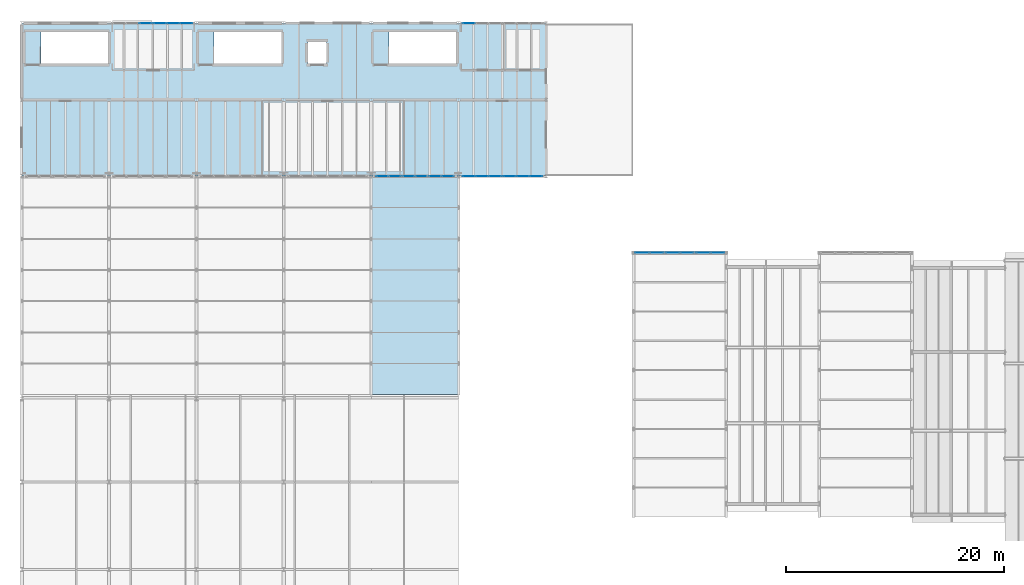
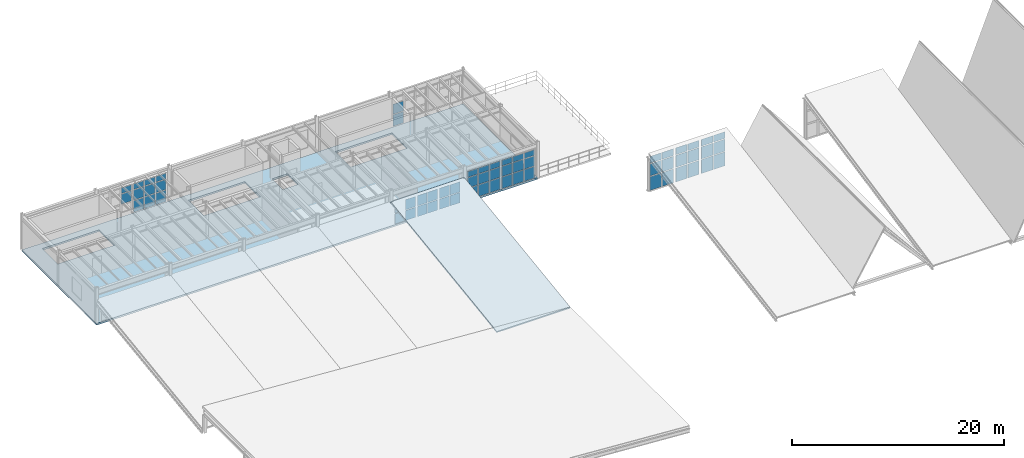
# One storey, part 48 of 77: 61 plates, 2 slabs, 12 elements without a shape of their own.
"""IFC4 building model written with IfcOpenShell, lengths in metres."""

from ifc_helpers import new_model, si_unit, direction, frame, origin, origin_2d, place, context, subcontext, project, spatial, polyline, rectangle, outline, extrude, material, layer, layer_set, type_object, element, aggregate, save


model = new_model("IFC4")

# Units and contexts
model_context = context("Model", 3, precision=1e-05, world=origin(), true_north=direction((0.0, 1.0)))
body_context = subcontext(model_context, "Body", "Model", "MODEL_VIEW")
ifc_project = project(units=[si_unit("LENGTHUNIT", "METRE"), si_unit("AREAUNIT", "SQUARE_METRE"), si_unit("VOLUMEUNIT", "CUBIC_METRE"), si_unit("PLANEANGLEUNIT", "RADIAN"), si_unit("MASSUNIT", "GRAM", prefix="KILO"), si_unit("THERMODYNAMICTEMPERATUREUNIT", "KELVIN"), si_unit("POWERUNIT", "WATT")], contexts=[model_context])

# Site, building, storey
site_placement = place(None, origin())
site = spatial("IfcSite", under=ifc_project, at=site_placement, CompositionType="ELEMENT")
building_placement = place(site_placement, origin())
building = spatial("IfcBuilding", under=site, at=building_placement, Name="Zhenchuan Central Fire Station", CompositionType="ELEMENT")
storey_placement = place(building_placement, frame((0.0, 0.0, 10.050048828125)))
storey = spatial("IfcBuildingStorey", under=building, at=storey_placement, Name="L03", CompositionType="ELEMENT", Elevation=10.050048828125)

# Curtain wall, plates
ifc_material_1 = material(Name="Anodised aluminium and low-E glazing", Category="aluminium")
curtain_wall_type_1 = type_object("IfcCurtainWallType", Name="CW-MOD-18", PredefinedType="USERDEFINED", material=ifc_material_1)
curtain_wall_1_placement = place(storey_placement, origin())
curtain_wall_1 = element("IfcCurtainWall", 1, at=curtain_wall_1_placement, inside=storey, type_object=curtain_wall_type_1, Name="L03 Unitised Curtain Wall 001", ObjectType="UNITISED GLAZING", PredefinedType="USERDEFINED")
ifc_material_2 = material(Name="Laminated low-E double glazing", Category="glass")
ifc_layer_1 = layer(ifc_material_2, 0.011962890625, Name="Laminated low-E double glazing", Category="glass")
ifc_layer_set_1 = layer_set([ifc_layer_1], Name="Laminated low-E double glazing")
plate_type = type_object("IfcPlateType", Name="CW-PNL12", PredefinedType="CURTAIN_PANEL", material=ifc_layer_set_1)
plate_1_placement = place(storey_placement, frame((56.791015625, 35.5, -0.12890625), z_axis=(0.0, 0.0, 1.0), x_axis=(1.0, 0.0, 0.0)))
plate_1 = element("IfcPlate", 2, at=plate_1_placement, type_object=plate_type, Name="CW-18 panel 1.1", PredefinedType="CURTAIN_PANEL", context=body_context, shape_type="SweptSolid", body=[
    extrude(rectangle(XDim=1.255859375, YDim=0.011962890625, at=origin_2d()), origin(), (0.0, 0.0, 1.0), 1.600830078125),
])
plate_2_placement = place(storey_placement, frame((56.791015625, 35.5, 1.546875), z_axis=(0.0, 0.0, 1.0), x_axis=(1.0, 0.0, 0.0)))
plate_2 = element("IfcPlate", 3, at=plate_2_placement, type_object=plate_type, Name="CW-18 panel 1.2", PredefinedType="CURTAIN_PANEL", context=body_context, shape_type="SweptSolid", body=[
    extrude(rectangle(XDim=1.255859375, YDim=0.011962890625, at=origin_2d()), origin(), (0.0, 0.0, 1.0), 1.39013671875),
])
plate_3_placement = place(storey_placement, frame((56.791015625, 35.5, 3.01220703125), z_axis=(0.0, 0.0, 1.0), x_axis=(1.0, 0.0, 0.0)))
plate_3 = element("IfcPlate", 4, at=plate_3_placement, type_object=plate_type, Name="CW-18 panel 1.3", PredefinedType="CURTAIN_PANEL", context=body_context, shape_type="SweptSolid", body=[
    extrude(rectangle(XDim=1.255859375, YDim=0.011962890625, at=origin_2d()), origin(), (0.0, 0.0, 1.0), 0.782958984375),
])
plate_4_placement = place(storey_placement, frame((58.121826171875, 35.5, -0.12890625), z_axis=(0.0, 0.0, 1.0), x_axis=(1.0, 0.0, 0.0)))
plate_4 = element("IfcPlate", 5, at=plate_4_placement, type_object=plate_type, Name="CW-18 panel 2.1", PredefinedType="CURTAIN_PANEL", context=body_context, shape_type="SweptSolid", body=[
    extrude(rectangle(XDim=1.255859375, YDim=0.011962890625, at=origin_2d()), origin(), (0.0, 0.0, 1.0), 1.600830078125),
])
plate_5_placement = place(storey_placement, frame((58.121826171875, 35.5, 1.546875), z_axis=(0.0, 0.0, 1.0), x_axis=(1.0, 0.0, 0.0)))
plate_5 = element("IfcPlate", 6, at=plate_5_placement, type_object=plate_type, Name="CW-18 panel 2.2", PredefinedType="CURTAIN_PANEL", context=body_context, shape_type="SweptSolid", body=[
    extrude(rectangle(XDim=1.255859375, YDim=0.011962890625, at=origin_2d()), origin(), (0.0, 0.0, 1.0), 1.39013671875),
])
plate_6_placement = place(storey_placement, frame((58.121826171875, 35.5, 3.01220703125), z_axis=(0.0, 0.0, 1.0), x_axis=(1.0, 0.0, 0.0)))
plate_6 = element("IfcPlate", 7, at=plate_6_placement, type_object=plate_type, Name="CW-18 panel 2.3", PredefinedType="CURTAIN_PANEL", context=body_context, shape_type="SweptSolid", body=[
    extrude(rectangle(XDim=1.255859375, YDim=0.011962890625, at=origin_2d()), origin(), (0.0, 0.0, 1.0), 0.782958984375),
])
aggregate(curtain_wall_1, [plate_1, plate_2, plate_3, plate_4, plate_5, plate_6])

curtain_wall_type_2 = type_object("IfcCurtainWallType", Name="CW-MOD-19", PredefinedType="USERDEFINED", material=ifc_material_1)
curtain_wall_2_placement = place(storey_placement, origin())
curtain_wall_2 = element("IfcCurtainWall", 8, at=curtain_wall_2_placement, inside=storey, type_object=curtain_wall_type_2, Name="L03 Unitised Curtain Wall 002", ObjectType="UNITISED GLAZING", PredefinedType="USERDEFINED")
plate_7_placement = place(storey_placement, frame((59.593994140625, 35.5, -0.12890625), z_axis=(0.0, 0.0, 1.0), x_axis=(1.0, 0.0, 0.0)))
plate_7 = element("IfcPlate", 9, at=plate_7_placement, type_object=plate_type, Name="CW-19 panel 1.1", PredefinedType="CURTAIN_PANEL", context=body_context, shape_type="SweptSolid", body=[
    extrude(rectangle(XDim=1.23681640625, YDim=0.011962890625, at=origin_2d()), origin(), (0.0, 0.0, 1.0), 1.600830078125),
])
plate_8_placement = place(storey_placement, frame((59.593994140625, 35.5, 1.546875), z_axis=(0.0, 0.0, 1.0), x_axis=(1.0, 0.0, 0.0)))
plate_8 = element("IfcPlate", 10, at=plate_8_placement, type_object=plate_type, Name="CW-19 panel 1.2", PredefinedType="CURTAIN_PANEL", context=body_context, shape_type="SweptSolid", body=[
    extrude(rectangle(XDim=1.23681640625, YDim=0.011962890625, at=origin_2d()), origin(), (0.0, 0.0, 1.0), 1.39013671875),
])
plate_9_placement = place(storey_placement, frame((59.593994140625, 35.5, 3.01220703125), z_axis=(0.0, 0.0, 1.0), x_axis=(1.0, 0.0, 0.0)))
plate_9 = element("IfcPlate", 11, at=plate_9_placement, type_object=plate_type, Name="CW-19 panel 1.3", PredefinedType="CURTAIN_PANEL", context=body_context, shape_type="SweptSolid", body=[
    extrude(rectangle(XDim=1.23681640625, YDim=0.011962890625, at=origin_2d()), origin(), (0.0, 0.0, 1.0), 0.782958984375),
])
plate_10_placement = place(storey_placement, frame((60.906005859375, 35.5, -0.12890625), z_axis=(0.0, 0.0, 1.0), x_axis=(1.0, 0.0, 0.0)))
plate_10 = element("IfcPlate", 12, at=plate_10_placement, type_object=plate_type, Name="CW-19 panel 2.1", PredefinedType="CURTAIN_PANEL", context=body_context, shape_type="SweptSolid", body=[
    extrude(rectangle(XDim=1.23681640625, YDim=0.011962890625, at=origin_2d()), origin(), (0.0, 0.0, 1.0), 1.600830078125),
])
plate_11_placement = place(storey_placement, frame((60.906005859375, 35.5, 1.546875), z_axis=(0.0, 0.0, 1.0), x_axis=(1.0, 0.0, 0.0)))
plate_11 = element("IfcPlate", 13, at=plate_11_placement, type_object=plate_type, Name="CW-19 panel 2.2", PredefinedType="CURTAIN_PANEL", context=body_context, shape_type="SweptSolid", body=[
    extrude(rectangle(XDim=1.23681640625, YDim=0.011962890625, at=origin_2d()), origin(), (0.0, 0.0, 1.0), 1.39013671875),
])
plate_12_placement = place(storey_placement, frame((60.906005859375, 35.5, 3.01220703125), z_axis=(0.0, 0.0, 1.0), x_axis=(1.0, 0.0, 0.0)))
plate_12 = element("IfcPlate", 14, at=plate_12_placement, type_object=plate_type, Name="CW-19 panel 2.3", PredefinedType="CURTAIN_PANEL", context=body_context, shape_type="SweptSolid", body=[
    extrude(rectangle(XDim=1.23681640625, YDim=0.011962890625, at=origin_2d()), origin(), (0.0, 0.0, 1.0), 0.782958984375),
])
aggregate(curtain_wall_2, [plate_7, plate_8, plate_9, plate_10, plate_11, plate_12])

curtain_wall_type_3 = type_object("IfcCurtainWallType", Name="CW-MOD-20", PredefinedType="USERDEFINED", material=ifc_material_1)
curtain_wall_3_placement = place(storey_placement, origin())
curtain_wall_3 = element("IfcCurtainWall", 15, at=curtain_wall_3_placement, inside=storey, type_object=curtain_wall_type_3, Name="L03 Unitised Curtain Wall 003", ObjectType="UNITISED GLAZING", PredefinedType="USERDEFINED")
plate_13_placement = place(storey_placement, frame((62.378173828125, 35.5, -0.12890625), z_axis=(0.0, 0.0, 1.0), x_axis=(1.0, 0.0, 0.0)))
plate_13 = element("IfcPlate", 16, at=plate_13_placement, type_object=plate_type, Name="CW-20 panel 1.1", PredefinedType="CURTAIN_PANEL", context=body_context, shape_type="SweptSolid", body=[
    extrude(rectangle(XDim=1.255859375, YDim=0.011962890625, at=origin_2d()), origin(), (0.0, 0.0, 1.0), 1.600830078125),
])
plate_14_placement = place(storey_placement, frame((62.378173828125, 35.5, 1.546875), z_axis=(0.0, 0.0, 1.0), x_axis=(1.0, 0.0, 0.0)))
plate_14 = element("IfcPlate", 17, at=plate_14_placement, type_object=plate_type, Name="CW-20 panel 1.2", PredefinedType="CURTAIN_PANEL", context=body_context, shape_type="SweptSolid", body=[
    extrude(rectangle(XDim=1.255859375, YDim=0.011962890625, at=origin_2d()), origin(), (0.0, 0.0, 1.0), 1.39013671875),
])
plate_15_placement = place(storey_placement, frame((62.378173828125, 35.5, 3.01220703125), z_axis=(0.0, 0.0, 1.0), x_axis=(1.0, 0.0, 0.0)))
plate_15 = element("IfcPlate", 18, at=plate_15_placement, type_object=plate_type, Name="CW-20 panel 1.3", PredefinedType="CURTAIN_PANEL", context=body_context, shape_type="SweptSolid", body=[
    extrude(rectangle(XDim=1.255859375, YDim=0.011962890625, at=origin_2d()), origin(), (0.0, 0.0, 1.0), 0.782958984375),
])
plate_16_placement = place(storey_placement, frame((63.708984375, 35.5, -0.12890625), z_axis=(0.0, 0.0, 1.0), x_axis=(1.0, 0.0, 0.0)))
plate_16 = element("IfcPlate", 19, at=plate_16_placement, type_object=plate_type, Name="CW-20 panel 2.1", PredefinedType="CURTAIN_PANEL", context=body_context, shape_type="SweptSolid", body=[
    extrude(rectangle(XDim=1.255859375, YDim=0.011962890625, at=origin_2d()), origin(), (0.0, 0.0, 1.0), 1.600830078125),
])
plate_17_placement = place(storey_placement, frame((63.708984375, 35.5, 1.546875), z_axis=(0.0, 0.0, 1.0), x_axis=(1.0, 0.0, 0.0)))
plate_17 = element("IfcPlate", 20, at=plate_17_placement, type_object=plate_type, Name="CW-20 panel 2.2", PredefinedType="CURTAIN_PANEL", context=body_context, shape_type="SweptSolid", body=[
    extrude(rectangle(XDim=1.255859375, YDim=0.011962890625, at=origin_2d()), origin(), (0.0, 0.0, 1.0), 1.39013671875),
])
plate_18_placement = place(storey_placement, frame((63.708984375, 35.5, 3.01220703125), z_axis=(0.0, 0.0, 1.0), x_axis=(1.0, 0.0, 0.0)))
plate_18 = element("IfcPlate", 21, at=plate_18_placement, type_object=plate_type, Name="CW-20 panel 2.3", PredefinedType="CURTAIN_PANEL", context=body_context, shape_type="SweptSolid", body=[
    extrude(rectangle(XDim=1.255859375, YDim=0.011962890625, at=origin_2d()), origin(), (0.0, 0.0, 1.0), 0.782958984375),
])
aggregate(curtain_wall_3, [plate_13, plate_14, plate_15, plate_16, plate_17, plate_18])

curtain_wall_type_4 = type_object("IfcCurtainWallType", Name="CW-MOD-22", PredefinedType="USERDEFINED", material=ifc_material_1)
curtain_wall_4_placement = place(storey_placement, origin())
curtain_wall_4 = element("IfcCurtainWall", 22, at=curtain_wall_4_placement, inside=storey, type_object=curtain_wall_type_4, Name="L03 Unitised Curtain Wall 049", ObjectType="UNITISED GLAZING", PredefinedType="USERDEFINED")
plate_19_placement = place(storey_placement, frame((33.00927734375, 42.5, 0.071044921875), z_axis=(0.0, 0.0, 1.0), x_axis=(1.0, 0.0, 0.0)))
plate_19 = element("IfcPlate", 23, at=plate_19_placement, type_object=plate_type, Name="CW-22 panel 1.1", PredefinedType="CURTAIN_PANEL", context=body_context, shape_type="SweptSolid", body=[
    extrude(rectangle(XDim=1.068603515625, YDim=0.011962890625, at=origin_2d()), origin(), (0.0, 0.0, 1.0), 1.16650390625),
])
plate_20_placement = place(storey_placement, frame((33.00927734375, 42.5, 1.3125), z_axis=(0.0, 0.0, 1.0), x_axis=(1.0, 0.0, 0.0)))
plate_20 = element("IfcPlate", 24, at=plate_20_placement, type_object=plate_type, Name="CW-22 panel 1.2", PredefinedType="CURTAIN_PANEL", context=body_context, shape_type="SweptSolid", body=[
    extrude(rectangle(XDim=1.068603515625, YDim=0.011962890625, at=origin_2d()), origin(), (0.0, 0.0, 1.0), 1.16259765625),
])
plate_21_placement = place(storey_placement, frame((34.15283203125, 42.5, 0.071044921875), z_axis=(0.0, 0.0, 1.0), x_axis=(1.0, 0.0, 0.0)))
plate_21 = element("IfcPlate", 25, at=plate_21_placement, type_object=plate_type, Name="CW-22 panel 2.1", PredefinedType="CURTAIN_PANEL", context=body_context, shape_type="SweptSolid", body=[
    extrude(rectangle(XDim=1.068603515625, YDim=0.011962890625, at=origin_2d()), origin(), (0.0, 0.0, 1.0), 1.16650390625),
])
plate_22_placement = place(storey_placement, frame((34.15283203125, 42.5, 1.3125), z_axis=(0.0, 0.0, 1.0), x_axis=(1.0, 0.0, 0.0)))
plate_22 = element("IfcPlate", 26, at=plate_22_placement, type_object=plate_type, Name="CW-22 panel 2.2", PredefinedType="CURTAIN_PANEL", context=body_context, shape_type="SweptSolid", body=[
    extrude(rectangle(XDim=1.068603515625, YDim=0.011962890625, at=origin_2d()), origin(), (0.0, 0.0, 1.0), 1.16259765625),
])
aggregate(curtain_wall_4, [plate_19, plate_20, plate_21, plate_22])

curtain_wall_type_5 = type_object("IfcCurtainWallType", Name="CW-MOD-01", PredefinedType="USERDEFINED", material=ifc_material_1)
curtain_wall_5_placement = place(storey_placement, origin())
curtain_wall_5 = element("IfcCurtainWall", 27, at=curtain_wall_5_placement, inside=storey, type_object=curtain_wall_type_5, Name="L03 Unitised Curtain Wall 050", ObjectType="UNITISED GLAZING", PredefinedType="USERDEFINED")
plate_23_placement = place(storey_placement, frame((35.435302734375, 42.5, 0.06103515625), z_axis=(0.0, 0.0, 1.0), x_axis=(1.0, 0.0, 0.0)))
plate_23 = element("IfcPlate", 28, at=plate_23_placement, type_object=plate_type, Name="CW-01 panel 1.1", PredefinedType="CURTAIN_PANEL", context=body_context, shape_type="SweptSolid", body=[
    extrude(rectangle(XDim=1.064453125, YDim=0.011962890625, at=origin_2d()), origin(), (0.0, 0.0, 1.0), 1.181396484375),
])
plate_24_placement = place(storey_placement, frame((35.435302734375, 42.5, 1.3076171875), z_axis=(0.0, 0.0, 1.0), x_axis=(1.0, 0.0, 0.0)))
plate_24 = element("IfcPlate", 29, at=plate_24_placement, type_object=plate_type, Name="CW-01 panel 1.2", PredefinedType="CURTAIN_PANEL", context=body_context, shape_type="SweptSolid", body=[
    extrude(rectangle(XDim=1.064453125, YDim=0.011962890625, at=origin_2d()), origin(), (0.0, 0.0, 1.0), 1.177490234375),
])
plate_25_placement = place(storey_placement, frame((36.564697265625, 42.5, 0.06103515625), z_axis=(0.0, 0.0, 1.0), x_axis=(1.0, 0.0, 0.0)))
plate_25 = element("IfcPlate", 30, at=plate_25_placement, type_object=plate_type, Name="CW-01 panel 2.1", PredefinedType="CURTAIN_PANEL", context=body_context, shape_type="SweptSolid", body=[
    extrude(rectangle(XDim=1.064453125, YDim=0.011962890625, at=origin_2d()), origin(), (0.0, 0.0, 1.0), 1.181396484375),
])
plate_26_placement = place(storey_placement, frame((36.564697265625, 42.5, 1.3076171875), z_axis=(0.0, 0.0, 1.0), x_axis=(1.0, 0.0, 0.0)))
plate_26 = element("IfcPlate", 31, at=plate_26_placement, type_object=plate_type, Name="CW-01 panel 2.2", PredefinedType="CURTAIN_PANEL", context=body_context, shape_type="SweptSolid", body=[
    extrude(rectangle(XDim=1.064453125, YDim=0.011962890625, at=origin_2d()), origin(), (0.0, 0.0, 1.0), 1.177490234375),
])
aggregate(curtain_wall_5, [plate_23, plate_24, plate_25, plate_26])

curtain_wall_type_6 = type_object("IfcCurtainWallType", Name="CW-MOD-02", PredefinedType="USERDEFINED", material=ifc_material_1)
curtain_wall_6_placement = place(storey_placement, origin())
curtain_wall_6 = element("IfcCurtainWall", 32, at=curtain_wall_6_placement, inside=storey, type_object=curtain_wall_type_6, Name="L03 Unitised Curtain Wall 051", ObjectType="UNITISED GLAZING", PredefinedType="USERDEFINED")
plate_27_placement = place(storey_placement, frame((37.8447265625, 42.5, 0.06103515625), z_axis=(0.0, 0.0, 1.0), x_axis=(1.0, 0.0, 0.0)))
plate_27 = element("IfcPlate", 33, at=plate_27_placement, type_object=plate_type, Name="CW-02 panel 1.1", PredefinedType="CURTAIN_PANEL", context=body_context, shape_type="SweptSolid", body=[
    extrude(rectangle(XDim=1.08349609375, YDim=0.011962890625, at=origin_2d()), origin(), (0.0, 0.0, 1.0), 1.181396484375),
])
plate_28_placement = place(storey_placement, frame((37.8447265625, 42.5, 1.3076171875), z_axis=(0.0, 0.0, 1.0), x_axis=(1.0, 0.0, 0.0)))
plate_28 = element("IfcPlate", 34, at=plate_28_placement, type_object=plate_type, Name="CW-02 panel 1.2", PredefinedType="CURTAIN_PANEL", context=body_context, shape_type="SweptSolid", body=[
    extrude(rectangle(XDim=1.08349609375, YDim=0.011962890625, at=origin_2d()), origin(), (0.0, 0.0, 1.0), 1.177490234375),
])
plate_29_placement = place(storey_placement, frame((38.9931640625, 42.5, 0.06103515625), z_axis=(0.0, 0.0, 1.0), x_axis=(1.0, 0.0, 0.0)))
plate_29 = element("IfcPlate", 35, at=plate_29_placement, type_object=plate_type, Name="CW-02 panel 2.1", PredefinedType="CURTAIN_PANEL", context=body_context, shape_type="SweptSolid", body=[
    extrude(rectangle(XDim=1.08349609375, YDim=0.011962890625, at=origin_2d()), origin(), (0.0, 0.0, 1.0), 1.181396484375),
])
plate_30_placement = place(storey_placement, frame((38.9931640625, 42.5, 1.3076171875), z_axis=(0.0, 0.0, 1.0), x_axis=(1.0, 0.0, 0.0)))
plate_30 = element("IfcPlate", 36, at=plate_30_placement, type_object=plate_type, Name="CW-02 panel 2.2", PredefinedType="CURTAIN_PANEL", context=body_context, shape_type="SweptSolid", body=[
    extrude(rectangle(XDim=1.08349609375, YDim=0.011962890625, at=origin_2d()), origin(), (0.0, 0.0, 1.0), 1.177490234375),
])
aggregate(curtain_wall_6, [plate_27, plate_28, plate_29, plate_30])

curtain_wall_type_7 = type_object("IfcCurtainWallType", Name="CW-MOD-08", PredefinedType="USERDEFINED", material=ifc_material_1)
curtain_wall_7_placement = place(storey_placement, origin())
curtain_wall_7 = element("IfcCurtainWall", 37, at=curtain_wall_7_placement, inside=storey, type_object=curtain_wall_type_7, Name="L03 Unitised Curtain Wall 066", ObjectType="UNITISED GLAZING", PredefinedType="USERDEFINED")
plate_31_placement = place(storey_placement, frame((11.33544921875, 56.5, 1.46044921875), z_axis=(0.0, 0.0, 1.0), x_axis=(1.0, 0.0, 0.0)))
plate_31 = element("IfcPlate", 38, at=plate_31_placement, type_object=plate_type, Name="CW-08 panel 3.2", PredefinedType="CURTAIN_PANEL", context=body_context, shape_type="SweptSolid", body=[
    extrude(rectangle(XDim=1.123046875, YDim=0.011962890625, at=origin_2d()), origin(), (0.0, 0.0, 1.0), 1.158935546875),
])
plate_32_placement = place(storey_placement, frame((11.33544921875, 56.5, 2.6845703125), z_axis=(0.0, 0.0, 1.0), x_axis=(1.0, 0.0, 0.0)))
plate_32 = element("IfcPlate", 39, at=plate_32_placement, type_object=plate_type, Name="CW-08 panel 3.3", PredefinedType="CURTAIN_PANEL", context=body_context, shape_type="SweptSolid", body=[
    extrude(rectangle(XDim=1.123046875, YDim=0.011962890625, at=origin_2d()), origin(), (0.0, 0.0, 1.0), 0.650390625),
])
aggregate(curtain_wall_7, [plate_31, plate_32])

curtain_wall_type_8 = type_object("IfcCurtainWallType", Name="CW-MOD-09", PredefinedType="USERDEFINED", material=ifc_material_1)
curtain_wall_8_placement = place(storey_placement, origin())
curtain_wall_8 = element("IfcCurtainWall", 40, at=curtain_wall_8_placement, inside=storey, type_object=curtain_wall_type_8, Name="L03 Unitised Curtain Wall 067", ObjectType="UNITISED GLAZING", PredefinedType="USERDEFINED")
plate_33_placement = place(storey_placement, frame((12.66455078125, 56.5, 0.06103515625), z_axis=(0.0, 0.0, 1.0), x_axis=(1.0, 0.0, 0.0)))
plate_33 = element("IfcPlate", 41, at=plate_33_placement, type_object=plate_type, Name="CW-09 panel 1.1", PredefinedType="CURTAIN_PANEL", context=body_context, shape_type="SweptSolid", body=[
    extrude(rectangle(XDim=1.123046875, YDim=0.011962890625, at=origin_2d()), origin(), (0.0, 0.0, 1.0), 1.33447265625),
])
plate_34_placement = place(storey_placement, frame((12.66455078125, 56.5, 1.46044921875), z_axis=(0.0, 0.0, 1.0), x_axis=(1.0, 0.0, 0.0)))
plate_34 = element("IfcPlate", 42, at=plate_34_placement, type_object=plate_type, Name="CW-09 panel 1.2", PredefinedType="CURTAIN_PANEL", context=body_context, shape_type="SweptSolid", body=[
    extrude(rectangle(XDim=1.123046875, YDim=0.011962890625, at=origin_2d()), origin(), (0.0, 0.0, 1.0), 1.158935546875),
])
plate_35_placement = place(storey_placement, frame((12.66455078125, 56.5, 2.6845703125), z_axis=(0.0, 0.0, 1.0), x_axis=(1.0, 0.0, 0.0)))
plate_35 = element("IfcPlate", 43, at=plate_35_placement, type_object=plate_type, Name="CW-09 panel 1.3", PredefinedType="CURTAIN_PANEL", context=body_context, shape_type="SweptSolid", body=[
    extrude(rectangle(XDim=1.123046875, YDim=0.011962890625, at=origin_2d()), origin(), (0.0, 0.0, 1.0), 0.650390625),
])
plate_36_placement = place(storey_placement, frame((13.868896484375, 56.5, 0.06103515625), z_axis=(0.0, 0.0, 1.0), x_axis=(1.0, 0.0, 0.0)))
plate_36 = element("IfcPlate", 44, at=plate_36_placement, type_object=plate_type, Name="CW-09 panel 2.1", PredefinedType="CURTAIN_PANEL", context=body_context, shape_type="SweptSolid", body=[
    extrude(rectangle(XDim=1.15576171875, YDim=0.011962890625, at=origin_2d()), origin(), (0.0, 0.0, 1.0), 1.33447265625),
])
plate_37_placement = place(storey_placement, frame((13.868896484375, 56.5, 1.46044921875), z_axis=(0.0, 0.0, 1.0), x_axis=(1.0, 0.0, 0.0)))
plate_37 = element("IfcPlate", 45, at=plate_37_placement, type_object=plate_type, Name="CW-09 panel 2.2", PredefinedType="CURTAIN_PANEL", context=body_context, shape_type="SweptSolid", body=[
    extrude(rectangle(XDim=1.15576171875, YDim=0.011962890625, at=origin_2d()), origin(), (0.0, 0.0, 1.0), 1.158935546875),
])
plate_38_placement = place(storey_placement, frame((13.868896484375, 56.5, 2.6845703125), z_axis=(0.0, 0.0, 1.0), x_axis=(1.0, 0.0, 0.0)))
plate_38 = element("IfcPlate", 46, at=plate_38_placement, type_object=plate_type, Name="CW-09 panel 2.3", PredefinedType="CURTAIN_PANEL", context=body_context, shape_type="SweptSolid", body=[
    extrude(rectangle(XDim=1.15576171875, YDim=0.011962890625, at=origin_2d()), origin(), (0.0, 0.0, 1.0), 0.650390625),
])
plate_39_placement = place(storey_placement, frame((15.073486328125, 56.5, 0.06103515625), z_axis=(0.0, 0.0, 1.0), x_axis=(1.0, 0.0, 0.0)))
plate_39 = element("IfcPlate", 47, at=plate_39_placement, type_object=plate_type, Name="CW-09 panel 3.1", PredefinedType="CURTAIN_PANEL", context=body_context, shape_type="SweptSolid", body=[
    extrude(rectangle(XDim=1.123046875, YDim=0.011962890625, at=origin_2d()), origin(), (0.0, 0.0, 1.0), 1.33447265625),
])
plate_40_placement = place(storey_placement, frame((15.073486328125, 56.5, 1.46044921875), z_axis=(0.0, 0.0, 1.0), x_axis=(1.0, 0.0, 0.0)))
plate_40 = element("IfcPlate", 48, at=plate_40_placement, type_object=plate_type, Name="CW-09 panel 3.2", PredefinedType="CURTAIN_PANEL", context=body_context, shape_type="SweptSolid", body=[
    extrude(rectangle(XDim=1.123046875, YDim=0.011962890625, at=origin_2d()), origin(), (0.0, 0.0, 1.0), 1.158935546875),
])
plate_41_placement = place(storey_placement, frame((15.073486328125, 56.5, 2.6845703125), z_axis=(0.0, 0.0, 1.0), x_axis=(1.0, 0.0, 0.0)))
plate_41 = element("IfcPlate", 49, at=plate_41_placement, type_object=plate_type, Name="CW-09 panel 3.3", PredefinedType="CURTAIN_PANEL", context=body_context, shape_type="SweptSolid", body=[
    extrude(rectangle(XDim=1.123046875, YDim=0.011962890625, at=origin_2d()), origin(), (0.0, 0.0, 1.0), 0.650390625),
])
aggregate(curtain_wall_8, [plate_33, plate_34, plate_35, plate_36, plate_37, plate_38, plate_39, plate_40, plate_41])

curtain_wall_9_placement = place(storey_placement, origin())
curtain_wall_9 = element("IfcCurtainWall", 50, at=curtain_wall_9_placement, inside=storey, type_object=curtain_wall_type_5, Name="L03 Unitised Curtain Wall 068", ObjectType="UNITISED GLAZING", PredefinedType="USERDEFINED")
plate_42_placement = place(storey_placement, frame((40.926513671875, 56.5, 0.06103515625), z_axis=(0.0, 0.0, 1.0), x_axis=(1.0, 0.0, 0.0)))
plate_42 = element("IfcPlate", 51, at=plate_42_placement, type_object=plate_type, Name="CW-01 panel 1.1", PredefinedType="CURTAIN_PANEL", context=body_context, shape_type="SweptSolid", body=[
    extrude(rectangle(XDim=1.123046875, YDim=0.011962890625, at=origin_2d()), origin(), (0.0, 0.0, 1.0), 1.323486328125),
])
plate_43_placement = place(storey_placement, frame((40.926513671875, 56.5, 1.44970703125), z_axis=(0.0, 0.0, 1.0), x_axis=(1.0, 0.0, 0.0)))
plate_43 = element("IfcPlate", 52, at=plate_43_placement, type_object=plate_type, Name="CW-01 panel 1.2", PredefinedType="CURTAIN_PANEL", context=body_context, shape_type="SweptSolid", body=[
    extrude(rectangle(XDim=1.123046875, YDim=0.011962890625, at=origin_2d()), origin(), (0.0, 0.0, 1.0), 1.149658203125),
])
aggregate(curtain_wall_9, [plate_42, plate_43])

curtain_wall_type_9 = type_object("IfcCurtainWallType", Name="CW-MOD-07", PredefinedType="USERDEFINED", material=ifc_material_1)
curtain_wall_10_placement = place(storey_placement, origin())
curtain_wall_10 = element("IfcCurtainWall", 53, at=curtain_wall_10_placement, inside=storey, type_object=curtain_wall_type_9, Name="L03 Unitised Curtain Wall 070", ObjectType="UNITISED GLAZING", PredefinedType="USERDEFINED")
plate_44_placement = place(storey_placement, frame((40.926513671875, 42.5, 0.06103515625), z_axis=(0.0, 0.0, 1.0), x_axis=(1.0, 0.0, 0.0)))
plate_44 = element("IfcPlate", 54, at=plate_44_placement, type_object=plate_type, Name="CW-07 panel 1.1", PredefinedType="CURTAIN_PANEL", context=body_context, shape_type="SweptSolid", body=[
    extrude(rectangle(XDim=1.123046875, YDim=0.011962890625, at=origin_2d()), origin(), (0.0, 0.0, 1.0), 1.33447265625),
])
plate_45_placement = place(storey_placement, frame((40.926513671875, 42.5, 1.46044921875), z_axis=(0.0, 0.0, 1.0), x_axis=(1.0, 0.0, 0.0)))
plate_45 = element("IfcPlate", 55, at=plate_45_placement, type_object=plate_type, Name="CW-07 panel 1.2", PredefinedType="CURTAIN_PANEL", context=body_context, shape_type="SweptSolid", body=[
    extrude(rectangle(XDim=1.123046875, YDim=0.011962890625, at=origin_2d()), origin(), (0.0, 0.0, 1.0), 1.158935546875),
])
plate_46_placement = place(storey_placement, frame((40.926513671875, 42.5, 2.6845703125), z_axis=(0.0, 0.0, 1.0), x_axis=(1.0, 0.0, 0.0)))
plate_46 = element("IfcPlate", 56, at=plate_46_placement, type_object=plate_type, Name="CW-07 panel 1.3", PredefinedType="CURTAIN_PANEL", context=body_context, shape_type="SweptSolid", body=[
    extrude(rectangle(XDim=1.123046875, YDim=0.011962890625, at=origin_2d()), origin(), (0.0, 0.0, 1.0), 0.650390625),
])
plate_47_placement = place(storey_placement, frame((42.131103515625, 42.5, 0.06103515625), z_axis=(0.0, 0.0, 1.0), x_axis=(1.0, 0.0, 0.0)))
plate_47 = element("IfcPlate", 57, at=plate_47_placement, type_object=plate_type, Name="CW-07 panel 2.1", PredefinedType="CURTAIN_PANEL", context=body_context, shape_type="SweptSolid", body=[
    extrude(rectangle(XDim=1.15576171875, YDim=0.011962890625, at=origin_2d()), origin(), (0.0, 0.0, 1.0), 1.33447265625),
])
plate_48_placement = place(storey_placement, frame((42.131103515625, 42.5, 1.46044921875), z_axis=(0.0, 0.0, 1.0), x_axis=(1.0, 0.0, 0.0)))
plate_48 = element("IfcPlate", 58, at=plate_48_placement, type_object=plate_type, Name="CW-07 panel 2.2", PredefinedType="CURTAIN_PANEL", context=body_context, shape_type="SweptSolid", body=[
    extrude(rectangle(XDim=1.15576171875, YDim=0.011962890625, at=origin_2d()), origin(), (0.0, 0.0, 1.0), 1.158935546875),
])
plate_49_placement = place(storey_placement, frame((42.131103515625, 42.5, 2.6845703125), z_axis=(0.0, 0.0, 1.0), x_axis=(1.0, 0.0, 0.0)))
plate_49 = element("IfcPlate", 59, at=plate_49_placement, type_object=plate_type, Name="CW-07 panel 2.3", PredefinedType="CURTAIN_PANEL", context=body_context, shape_type="SweptSolid", body=[
    extrude(rectangle(XDim=1.15576171875, YDim=0.011962890625, at=origin_2d()), origin(), (0.0, 0.0, 1.0), 0.650390625),
])
plate_50_placement = place(storey_placement, frame((43.33544921875, 42.5, 0.06103515625), z_axis=(0.0, 0.0, 1.0), x_axis=(1.0, 0.0, 0.0)))
plate_50 = element("IfcPlate", 60, at=plate_50_placement, type_object=plate_type, Name="CW-07 panel 3.1", PredefinedType="CURTAIN_PANEL", context=body_context, shape_type="SweptSolid", body=[
    extrude(rectangle(XDim=1.123046875, YDim=0.011962890625, at=origin_2d()), origin(), (0.0, 0.0, 1.0), 1.33447265625),
])
plate_51_placement = place(storey_placement, frame((43.33544921875, 42.5, 1.46044921875), z_axis=(0.0, 0.0, 1.0), x_axis=(1.0, 0.0, 0.0)))
plate_51 = element("IfcPlate", 61, at=plate_51_placement, type_object=plate_type, Name="CW-07 panel 3.2", PredefinedType="CURTAIN_PANEL", context=body_context, shape_type="SweptSolid", body=[
    extrude(rectangle(XDim=1.123046875, YDim=0.011962890625, at=origin_2d()), origin(), (0.0, 0.0, 1.0), 1.158935546875),
])
plate_52_placement = place(storey_placement, frame((43.33544921875, 42.5, 2.6845703125), z_axis=(0.0, 0.0, 1.0), x_axis=(1.0, 0.0, 0.0)))
plate_52 = element("IfcPlate", 62, at=plate_52_placement, type_object=plate_type, Name="CW-07 panel 3.3", PredefinedType="CURTAIN_PANEL", context=body_context, shape_type="SweptSolid", body=[
    extrude(rectangle(XDim=1.123046875, YDim=0.011962890625, at=origin_2d()), origin(), (0.0, 0.0, 1.0), 0.650390625),
])
aggregate(curtain_wall_10, [plate_44, plate_45, plate_46, plate_47, plate_48, plate_49, plate_50, plate_51, plate_52])

curtain_wall_11_placement = place(storey_placement, origin())
curtain_wall_11 = element("IfcCurtainWall", 63, at=curtain_wall_11_placement, inside=storey, type_object=curtain_wall_type_7, Name="L03 Unitised Curtain Wall 071", ObjectType="UNITISED GLAZING", PredefinedType="USERDEFINED")
plate_53_placement = place(storey_placement, frame((44.66455078125, 42.5, 0.06103515625), z_axis=(0.0, 0.0, 1.0), x_axis=(1.0, 0.0, 0.0)))
plate_53 = element("IfcPlate", 64, at=plate_53_placement, type_object=plate_type, Name="CW-08 panel 1.1", PredefinedType="CURTAIN_PANEL", context=body_context, shape_type="SweptSolid", body=[
    extrude(rectangle(XDim=1.123046875, YDim=0.011962890625, at=origin_2d()), origin(), (0.0, 0.0, 1.0), 1.33447265625),
])
plate_54_placement = place(storey_placement, frame((44.66455078125, 42.5, 1.46044921875), z_axis=(0.0, 0.0, 1.0), x_axis=(1.0, 0.0, 0.0)))
plate_54 = element("IfcPlate", 65, at=plate_54_placement, type_object=plate_type, Name="CW-08 panel 1.2", PredefinedType="CURTAIN_PANEL", context=body_context, shape_type="SweptSolid", body=[
    extrude(rectangle(XDim=1.123046875, YDim=0.011962890625, at=origin_2d()), origin(), (0.0, 0.0, 1.0), 1.158935546875),
])
plate_55_placement = place(storey_placement, frame((44.66455078125, 42.5, 2.6845703125), z_axis=(0.0, 0.0, 1.0), x_axis=(1.0, 0.0, 0.0)))
plate_55 = element("IfcPlate", 66, at=plate_55_placement, type_object=plate_type, Name="CW-08 panel 1.3", PredefinedType="CURTAIN_PANEL", context=body_context, shape_type="SweptSolid", body=[
    extrude(rectangle(XDim=1.123046875, YDim=0.011962890625, at=origin_2d()), origin(), (0.0, 0.0, 1.0), 0.650390625),
])
plate_56_placement = place(storey_placement, frame((45.868896484375, 42.5, 0.06103515625), z_axis=(0.0, 0.0, 1.0), x_axis=(1.0, 0.0, 0.0)))
plate_56 = element("IfcPlate", 67, at=plate_56_placement, type_object=plate_type, Name="CW-08 panel 2.1", PredefinedType="CURTAIN_PANEL", context=body_context, shape_type="SweptSolid", body=[
    extrude(rectangle(XDim=1.15576171875, YDim=0.011962890625, at=origin_2d()), origin(), (0.0, 0.0, 1.0), 1.33447265625),
])
plate_57_placement = place(storey_placement, frame((45.868896484375, 42.5, 1.46044921875), z_axis=(0.0, 0.0, 1.0), x_axis=(1.0, 0.0, 0.0)))
plate_57 = element("IfcPlate", 68, at=plate_57_placement, type_object=plate_type, Name="CW-08 panel 2.2", PredefinedType="CURTAIN_PANEL", context=body_context, shape_type="SweptSolid", body=[
    extrude(rectangle(XDim=1.15576171875, YDim=0.011962890625, at=origin_2d()), origin(), (0.0, 0.0, 1.0), 1.158935546875),
])
plate_58_placement = place(storey_placement, frame((45.868896484375, 42.5, 2.6845703125), z_axis=(0.0, 0.0, 1.0), x_axis=(1.0, 0.0, 0.0)))
plate_58 = element("IfcPlate", 69, at=plate_58_placement, type_object=plate_type, Name="CW-08 panel 2.3", PredefinedType="CURTAIN_PANEL", context=body_context, shape_type="SweptSolid", body=[
    extrude(rectangle(XDim=1.15576171875, YDim=0.011962890625, at=origin_2d()), origin(), (0.0, 0.0, 1.0), 0.650390625),
])
plate_59_placement = place(storey_placement, frame((47.073486328125, 42.5, 0.06103515625), z_axis=(0.0, 0.0, 1.0), x_axis=(1.0, 0.0, 0.0)))
plate_59 = element("IfcPlate", 70, at=plate_59_placement, type_object=plate_type, Name="CW-08 panel 3.1", PredefinedType="CURTAIN_PANEL", context=body_context, shape_type="SweptSolid", body=[
    extrude(rectangle(XDim=1.123046875, YDim=0.011962890625, at=origin_2d()), origin(), (0.0, 0.0, 1.0), 1.33447265625),
])
plate_60_placement = place(storey_placement, frame((47.073486328125, 42.5, 1.46044921875), z_axis=(0.0, 0.0, 1.0), x_axis=(1.0, 0.0, 0.0)))
plate_60 = element("IfcPlate", 71, at=plate_60_placement, type_object=plate_type, Name="CW-08 panel 3.2", PredefinedType="CURTAIN_PANEL", context=body_context, shape_type="SweptSolid", body=[
    extrude(rectangle(XDim=1.123046875, YDim=0.011962890625, at=origin_2d()), origin(), (0.0, 0.0, 1.0), 1.158935546875),
])
plate_61_placement = place(storey_placement, frame((47.073486328125, 42.5, 2.6845703125), z_axis=(0.0, 0.0, 1.0), x_axis=(1.0, 0.0, 0.0)))
plate_61 = element("IfcPlate", 72, at=plate_61_placement, type_object=plate_type, Name="CW-08 panel 3.3", PredefinedType="CURTAIN_PANEL", context=body_context, shape_type="SweptSolid", body=[
    extrude(rectangle(XDim=1.123046875, YDim=0.011962890625, at=origin_2d()), origin(), (0.0, 0.0, 1.0), 0.650390625),
])
aggregate(curtain_wall_11, [plate_53, plate_54, plate_55, plate_56, plate_57, plate_58, plate_59, plate_60, plate_61])

# Slab
ifc_material_3 = material(Name="Concrete C35/45", Category="concrete")
ifc_layer_2 = layer(ifc_material_3, 0.199951171875, Name="Concrete C35/45", Category="concrete")
ifc_layer_set_2 = layer_set([ifc_layer_2], Name="Concrete C35/45")
slab_type_1 = type_object("IfcSlabType", Name="SL-FLR200", PredefinedType="FLOOR", material=ifc_layer_set_2)
slab_1_placement = place(storey_placement, frame((0.0, 0.0, -0.199951171875)))
element("IfcSlab", 73, at=slab_1_placement, inside=storey, type_object=slab_type_1, Name="L03 Crew Fitness and Duty Floor Slab", PredefinedType="FLOOR", context=body_context, shape_type="SweptSolid", body=[
    extrude(outline(polyline([(0.0, 42.5), (48.0, 42.5), (48.0, 56.5), (0.0, 56.5), (0.0, 42.5)]), holes=[polyline([(1.75048828125, 52.800048828125), (7.909912109375, 52.800048828125), (7.909912109375, 55.699951171875), (1.75048828125, 55.699951171875), (1.75048828125, 52.800048828125)]), polyline([(17.62060546875, 52.800048828125), (23.780029296875, 52.800048828125), (23.780029296875, 55.699951171875), (17.62060546875, 55.699951171875), (17.62060546875, 52.800048828125)]), polyline([(33.62060546875, 52.800048828125), (39.780029296875, 52.800048828125), (39.780029296875, 55.699951171875), (33.62060546875, 55.699951171875), (33.62060546875, 52.800048828125)]), polyline([(26.199951171875, 52.800048828125), (27.89990234375, 52.800048828125), (27.89990234375, 54.800048828125), (26.199951171875, 54.800048828125), (26.199951171875, 52.800048828125)])]), origin(), (0.0, 0.0, 1.0), 0.199951171875),
])

# Roof, slab
ifc_material_4 = material(Name="Standing-seam aluminium roofing", Category="aluminium")
roof_type = type_object("IfcRoofType", Name="RF-SAW", PredefinedType="SHED_ROOF", material=ifc_material_4)
roof_placement = place(storey_placement, origin())
roof = element("IfcRoof", 74, at=roof_placement, inside=storey, type_object=roof_type, Name="Workshop Sawtooth Roof Bay 5", PredefinedType="SHED_ROOF")
ifc_layer_3 = layer(ifc_material_3, 0.14990234375, Name="Concrete C35/45", Category="concrete")
ifc_layer_set_3 = layer_set([ifc_layer_3], Name="Concrete C35/45")
slab_type_2 = type_object("IfcSlabType", Name="SL-RF150", PredefinedType="ROOF", material=ifc_layer_set_3)
slab_2_placement = place(storey_placement, frame((32.0, 22.5, 0.0), z_axis=(0.0, -0.138650215881, 0.990341414683), x_axis=(1.0, 0.0, 0.0)))
slab_2 = element("IfcSlab", 75, at=slab_2_placement, type_object=slab_type_2, Name="Workshop Sawtooth Roof Slab 5", PredefinedType="ROOF", context=body_context, shape_type="SweptSolid", body=[
    extrude(outline(polyline([(0.0, 0.0), (8.0, 0.0), (8.0, 20.19505566815512), (0.0, 20.19505566815512), (0.0, 0.0)])), origin(), (0.0, 0.0, -1.0), 0.14990234375),
])
aggregate(roof, [slab_2])

save(model, "model.ifc")
